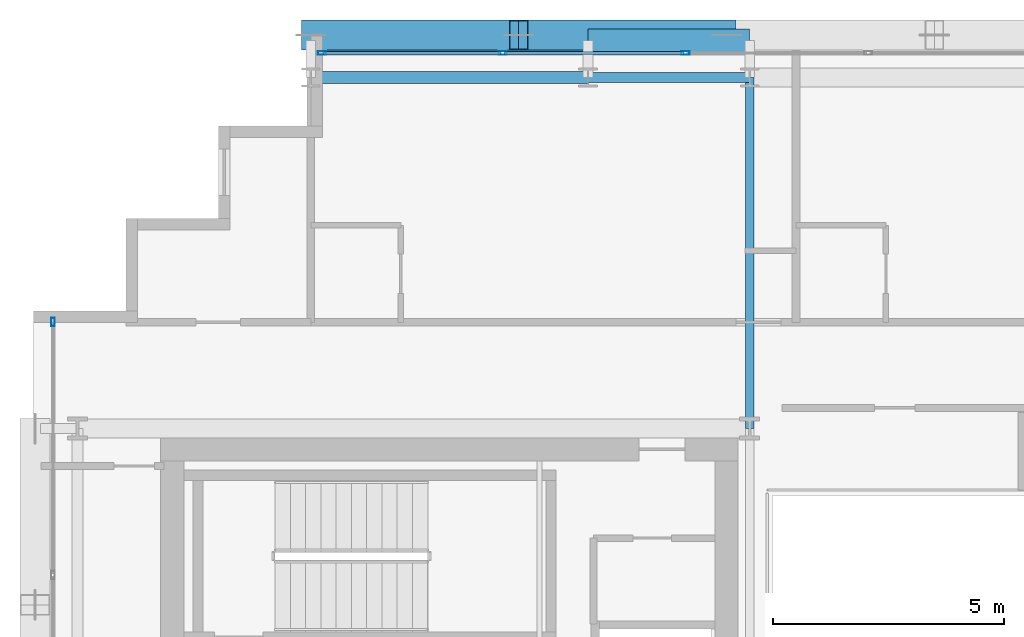
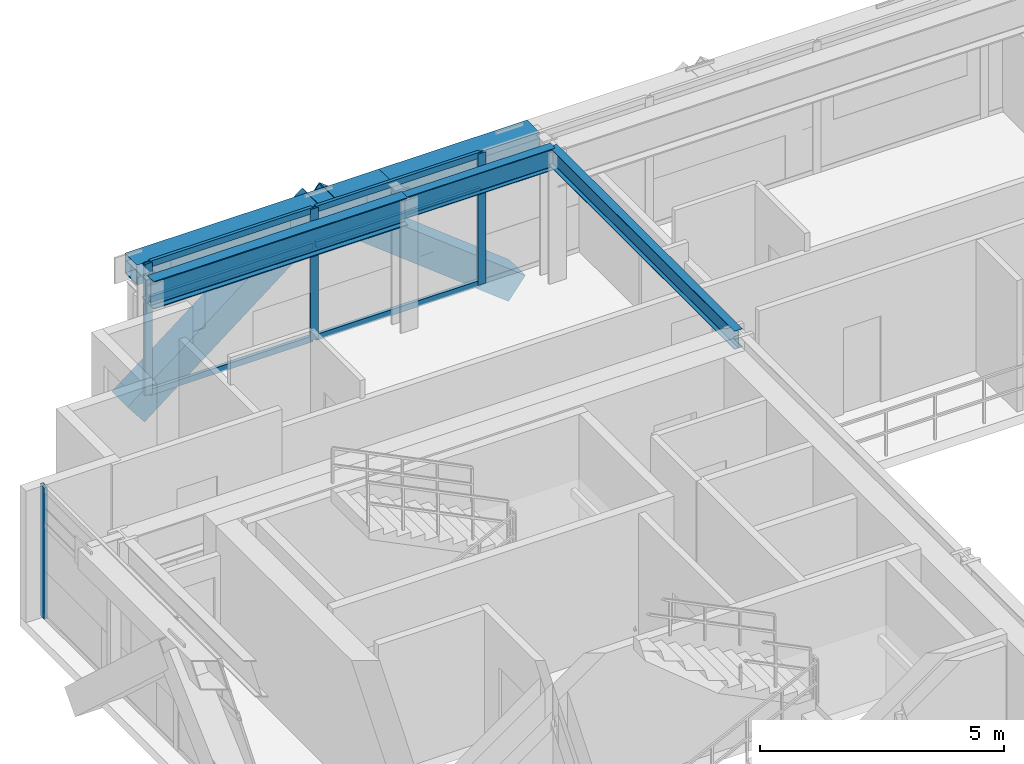
# One storey, part 16 of 32: 12 members, 5 beams, 2 elements without a shape of their own.
"""IFC4 building model written with IfcOpenShell, lengths in metres."""

from ifc_helpers import new_model, si_unit, direction, frame, origin, origin_2d, place, context, subcontext, project, spatial, hollow_rectangle, i_section, extrude, source, transform, mapped, material, layer, layer_set, material_profile, profile_set, type_object, element, aggregate, save


model = new_model("IFC4")

# Units and contexts
model_context = context("Model", 3, precision=1e-05, world=origin(), true_north=direction((0.0, 1.0)))
body_context = subcontext(model_context, "Body", "Model", "MODEL_VIEW")
ifc_project = project(units=[si_unit("LENGTHUNIT", "METRE"), si_unit("AREAUNIT", "SQUARE_METRE"), si_unit("VOLUMEUNIT", "CUBIC_METRE"), si_unit("PLANEANGLEUNIT", "RADIAN"), si_unit("MASSUNIT", "GRAM", prefix="KILO")], contexts=[model_context])

# Site, building, storey
site_placement = place(None, origin())
site = spatial("IfcSite", under=ifc_project, at=site_placement, CompositionType="ELEMENT")
building_placement = place(site_placement, origin())
building = spatial("IfcBuilding", under=site, at=building_placement, Name="Ocotamira Hotel", CompositionType="ELEMENT")
storey_placement = place(building_placement, frame((0.0, 0.0, 217.199951171875)))
storey = spatial("IfcBuildingStorey", under=building, at=storey_placement, Name="L55", CompositionType="ELEMENT", Elevation=217.199951171875)

# Beams
ifc_material_1 = material(Name="Steel ASTM A992 Grade 50", Category="steel")
ifc_material_profile_1 = material_profile(ifc_material_1, i_section(OverallWidth=0.256103515625, OverallDepth=0.693115234375, WebThickness=0.014404296875, FlangeThickness=0.023681640625, FilletRadius=0.01611328125, at=origin_2d()), Name="W27X114")
ifc_profile_set_1 = profile_set([ifc_material_profile_1], Name="Steel ASTM A992 Grade 50")
beam_type_1 = type_object("IfcBeamType", Name="BM-PRIM-W27X114", PredefinedType="BEAM", material=ifc_profile_set_1)
shared_shape_1 = source(origin(), body_context, "Body", "SweptSolid", [
    extrude(i_section(OverallWidth=0.256103515625, OverallDepth=0.693115234375, WebThickness=0.014404296875, FlangeThickness=0.023681640625, FilletRadius=0.01611328125, at=origin_2d()), origin(), (0.0, 0.0, 1.0), 6.0),
])
beam_1_placement = place(storey_placement, frame((14.0, 45.050048828125, 2.93359375), z_axis=(1.0, 0.0, 0.0), x_axis=(0.0, 1.0, 0.0)))
element("IfcBeam", 1, at=beam_1_placement, inside=storey, type_object=beam_type_1, Name="L55 Girder Y45.05 X14-20", PredefinedType="BEAM", context=body_context, shape_type="MappedRepresentation", body=[
    mapped(shared_shape_1, transform((0.0, 0.0, 0.0), scale=1.0)),
])
ifc_material_profile_2 = material_profile(ifc_material_1, i_section(OverallWidth=0.2099609375, OverallDepth=0.537109375, WebThickness=0.010986328125, FlangeThickness=0.017333984375, FilletRadius=0.012939453125, at=origin_2d()), Name="W21X68")
ifc_profile_set_2 = profile_set([ifc_material_profile_2], Name="Steel ASTM A992 Grade 50")
beam_type_2 = type_object("IfcBeamType", Name="BM-SEC-W21X68", PredefinedType="JOIST", material=ifc_profile_set_2)
shared_shape_2 = source(origin(), body_context, "Body", "SweptSolid", [
    extrude(i_section(OverallWidth=0.2099609375, OverallDepth=0.537109375, WebThickness=0.010986328125, FlangeThickness=0.017333984375, FilletRadius=0.012939453125, at=origin_2d()), origin(), (0.0, 0.0, 1.0), 3.5),
])
beam_2_placement = place(storey_placement, frame((20.0, 45.050048828125, 3.011474609375), z_axis=(1.0, 0.0, 0.0), x_axis=(0.0, 1.0, 0.0)))
element("IfcBeam", 2, at=beam_2_placement, inside=storey, type_object=beam_type_2, Name="L55 Girder Y45.05 X20-23.5", PredefinedType="JOIST", context=body_context, shape_type="MappedRepresentation", body=[
    mapped(shared_shape_2, transform((0.0, 0.0, 0.0), scale=1.0)),
])
ifc_material_2 = material(Name="Steel ASTM A500 Grade C", Category="steel")
ifc_material_profile_3 = material_profile(ifc_material_2, hollow_rectangle(XDim=0.5, YDim=0.5, WallThickness=0.02001953125, at=origin_2d()), Name="HSS500X500X20")
ifc_profile_set_3 = profile_set([ifc_material_profile_3], Name="Steel ASTM A500 Grade C")
beam_type_3 = type_object("IfcBeamType", Name="BM-SPAN-HSS500", PredefinedType="USERDEFINED", material=ifc_profile_set_3)
shared_shape_3 = source(origin(), body_context, "Body", "SweptSolid", [
    extrude(hollow_rectangle(XDim=0.5, YDim=0.5, WallThickness=0.02001953125, at=origin_2d()), origin(), (0.0, 0.0, 1.0), 6.0),
])
beam_3_placement = place(storey_placement, frame((14.0, 45.85009765625, 3.030029296875), z_axis=(1.0, 0.0, 0.0), x_axis=(0.0, 1.0, 0.0)))
element("IfcBeam", 3, at=beam_3_placement, inside=storey, type_object=beam_type_3, Name="L55 Edge Spandrel N X14-20", ObjectType="SPANDREL", PredefinedType="USERDEFINED", context=body_context, shape_type="MappedRepresentation", body=[
    mapped(shared_shape_3, transform((0.0, 0.0, 0.0), scale=1.0)),
])
shared_shape_4 = source(origin(), body_context, "Body", "SweptSolid", [
    extrude(hollow_rectangle(XDim=0.5, YDim=0.5, WallThickness=0.02001953125, at=origin_2d()), origin(), (0.0, 0.0, 1.0), 3.5),
])
beam_4_placement = place(storey_placement, frame((20.0, 45.85009765625, 3.030029296875), z_axis=(1.0, 0.0, 0.0), x_axis=(0.0, 1.0, 0.0)))
element("IfcBeam", 4, at=beam_4_placement, inside=storey, type_object=beam_type_3, Name="L55 Edge Spandrel N X20-23.5", ObjectType="SPANDREL", PredefinedType="USERDEFINED", context=body_context, shape_type="MappedRepresentation", body=[
    mapped(shared_shape_4, transform((0.0, 0.0, 0.0), scale=1.0)),
])
ifc_material_profile_4 = material_profile(ifc_material_1, i_section(OverallWidth=0.18994140625, OverallDepth=0.45703125, WebThickness=0.009033203125, FlangeThickness=0.014404296875, FilletRadius=0.010009765625, at=origin_2d()), Name="W18X50")
ifc_profile_set_4 = profile_set([ifc_material_profile_4], Name="Steel ASTM A992 Grade 50")
beam_type_4 = type_object("IfcBeamType", Name="BM-SEC-W18X50", PredefinedType="JOIST", material=ifc_profile_set_4)
shared_shape_5 = source(origin(), body_context, "Body", "SweptSolid", [
    extrude(i_section(OverallWidth=0.18994140625, OverallDepth=0.45703125, WebThickness=0.009033203125, FlangeThickness=0.014404296875, FilletRadius=0.010009765625, at=origin_2d()), origin(), (0.0, 0.0, 1.0), 7.60009765625),
])
beam_5_placement = place(storey_placement, frame((23.5, 37.449951171875, 3.051513671875), z_axis=(0.0, 1.0, 0.0), x_axis=(-1.0, 0.0, 0.0)))
element("IfcBeam", 5, at=beam_5_placement, inside=storey, type_object=beam_type_4, Name="L55 Beam X23.5 Y37.45-45.05", PredefinedType="JOIST", context=body_context, shape_type="MappedRepresentation", body=[
    mapped(shared_shape_5, transform((0.0, 0.0, 0.0), scale=1.0)),
])

# Members
ifc_material_3 = material(Name="Pale-metal coated steel ASTM A913 Grade 65", Category="steel")
ifc_material_profile_5 = material_profile(ifc_material_3, hollow_rectangle(XDim=0.64990234375, YDim=0.64990234375, WallThickness=0.02197265625, at=origin_2d()), Name="BOX650X650X22")
ifc_profile_set_5 = profile_set([ifc_material_profile_5], Name="Pale-metal coated steel ASTM A913 Grade 65")
member_type_1 = type_object("IfcMemberType", Name="MEM-EXO-BOX650", PredefinedType="BRACE", material=ifc_profile_set_5)
shared_shape_6 = source(origin(), body_context, "Body", "SweptSolid", [
    extrude(hollow_rectangle(XDim=0.64990234375, YDim=0.64990234375, WallThickness=0.02197265625, at=origin_2d()), origin(), (0.0, 0.0, 1.0), 5.70703125),
])
for number, where, z_axis, x_axis, name in (
    (6, (14.0, 45.969970703125, -0.47998046875), (0.788501476184, 0.0, 0.615032862581), (0.0, 1.0, 0.0), "L55 Exoskeleton Diagrid N0.1"),
    (7, (23.0, 45.969970703125, -0.47998046875), (-0.788501476184, 0.0, 0.615032862581), (0.0, -1.0, 0.0), "L55 Exoskeleton Diagrid N0.2"),
):
    element("IfcMember", number, at=place(storey_placement, frame(where, z_axis=z_axis, x_axis=x_axis)), inside=storey, type_object=member_type_1, Name=name, PredefinedType="BRACE", context=body_context, shape_type="MappedRepresentation", body=[
        mapped(shared_shape_6, transform((0.0, 0.0, 0.0), scale=1.0)),
    ])

# Curtain wall, members
ifc_material_4 = material(Name="Anodised pale-metal aluminium and solar glass", Category="aluminium")
ifc_layer = layer(ifc_material_4, 0.199951171875)
ifc_layer_set = layer_set([ifc_layer], Name="Anodised pale-metal aluminium and solar glass")
curtain_wall_type = type_object("IfcCurtainWallType", Name="CW-SYS4-Z3", PredefinedType="NOTDEFINED", material=ifc_layer_set)
curtain_wall_1_placement = place(storey_placement, origin())
curtain_wall_1 = element("IfcCurtainWall", 8, at=curtain_wall_1_placement, inside=storey, type_object=curtain_wall_type, Name="L55 Curtain Wall CW-4 CW-L55-N", PredefinedType="NOTDEFINED")
ifc_material_5 = material(Name="Anodised pale-metal aluminium 6063-T6", Category="aluminium")
ifc_material_profile_6 = material_profile(ifc_material_5, hollow_rectangle(XDim=0.074951171875, YDim=0.14990234375, WallThickness=0.006103515625, at=origin_2d()), Name="HSS150X75X6")
ifc_profile_set_6 = profile_set([ifc_material_profile_6], Name="Anodised pale-metal aluminium 6063-T6")
member_type_2 = type_object("IfcMemberType", Name="CWT-150X75", PredefinedType="USERDEFINED", material=ifc_profile_set_6)
shared_shape_7 = source(origin(), body_context, "Body", "SweptSolid", [
    extrude(hollow_rectangle(XDim=0.074951171875, YDim=0.14990234375, WallThickness=0.006103515625, at=origin_2d()), origin(), (0.0, 0.0, 1.0), 3.83544921875),
])
member_1_placement = place(storey_placement, frame((14.280029296875, 45.580078125, 0.03759765625), z_axis=(1.0, 0.0, 0.0), x_axis=(0.0, 1.0, 0.0)))
member_1 = element("IfcMember", 9, at=member_1_placement, type_object=member_type_2, Name="CW-4 transom 1.1", ObjectType="TRANSOM", PredefinedType="USERDEFINED", context=body_context, shape_type="MappedRepresentation", body=[
    mapped(shared_shape_7, transform((0.0, 0.0, 0.0), scale=1.0)),
])
member_2_placement = place(storey_placement, frame((14.280029296875, 45.580078125, 2.35009765625), z_axis=(1.0, 0.0, 0.0), x_axis=(0.0, 1.0, 0.0)))
member_2 = element("IfcMember", 10, at=member_2_placement, type_object=member_type_2, Name="CW-4 transom 1.2", ObjectType="TRANSOM", PredefinedType="USERDEFINED", context=body_context, shape_type="MappedRepresentation", body=[
    mapped(shared_shape_7, transform((0.0, 0.0, 0.0), scale=1.0)),
])
member_3_placement = place(storey_placement, frame((14.280029296875, 45.580078125, 3.242431640625), z_axis=(1.0, 0.0, 0.0), x_axis=(0.0, 1.0, 0.0)))
member_3 = element("IfcMember", 11, at=member_3_placement, type_object=member_type_2, Name="CW-4 transom 1.3", ObjectType="TRANSOM", PredefinedType="USERDEFINED", context=body_context, shape_type="MappedRepresentation", body=[
    mapped(shared_shape_7, transform((0.0, 0.0, 0.0), scale=1.0)),
])
shared_shape_8 = source(origin(), body_context, "Body", "SweptSolid", [
    extrude(hollow_rectangle(XDim=0.074951171875, YDim=0.14990234375, WallThickness=0.006103515625, at=origin_2d()), origin(), (0.0, 0.0, 1.0), 3.87548828125),
])
member_4_placement = place(storey_placement, frame((18.195556640625, 45.580078125, 0.03759765625), z_axis=(1.0, 0.0, 0.0), x_axis=(0.0, 1.0, 0.0)))
member_4 = element("IfcMember", 12, at=member_4_placement, type_object=member_type_2, Name="CW-4 transom 2.1", ObjectType="TRANSOM", PredefinedType="USERDEFINED", context=body_context, shape_type="MappedRepresentation", body=[
    mapped(shared_shape_8, transform((0.0, 0.0, 0.0), scale=1.0)),
])
member_5_placement = place(storey_placement, frame((18.195556640625, 45.580078125, 2.35009765625), z_axis=(1.0, 0.0, 0.0), x_axis=(0.0, 1.0, 0.0)))
member_5 = element("IfcMember", 13, at=member_5_placement, type_object=member_type_2, Name="CW-4 transom 2.2", ObjectType="TRANSOM", PredefinedType="USERDEFINED", context=body_context, shape_type="MappedRepresentation", body=[
    mapped(shared_shape_8, transform((0.0, 0.0, 0.0), scale=1.0)),
])
member_6_placement = place(storey_placement, frame((18.195556640625, 45.580078125, 3.242431640625), z_axis=(1.0, 0.0, 0.0), x_axis=(0.0, 1.0, 0.0)))
member_6 = element("IfcMember", 14, at=member_6_placement, type_object=member_type_2, Name="CW-4 transom 2.3", ObjectType="TRANSOM", PredefinedType="USERDEFINED", context=body_context, shape_type="MappedRepresentation", body=[
    mapped(shared_shape_8, transform((0.0, 0.0, 0.0), scale=1.0)),
])
ifc_material_profile_7 = material_profile(ifc_material_5, hollow_rectangle(XDim=0.080078125, YDim=0.179931640625, WallThickness=0.006103515625, at=origin_2d()), Name="HSS180X80X6")
ifc_profile_set_7 = profile_set([ifc_material_profile_7], Name="Anodised pale-metal aluminium 6063-T6")
member_type_3 = type_object("IfcMemberType", Name="CWM-180X75", PredefinedType="MULLION", material=ifc_profile_set_7)
shared_shape_9 = source(origin(), body_context, "Body", "SweptSolid", [
    extrude(hollow_rectangle(XDim=0.080078125, YDim=0.179931640625, WallThickness=0.006103515625, at=origin_2d()), origin(), (0.0, 0.0, 1.0), 3.280029296875),
])
member_7_placement = place(storey_placement, frame((14.239990234375, 45.580078125, 0.0), z_axis=(0.0, 0.0, 1.0), x_axis=(0.0, 1.0, 0.0)))
member_7 = element("IfcMember", 15, at=member_7_placement, type_object=member_type_3, Name="CW-4 mullion 1", PredefinedType="MULLION", context=body_context, shape_type="MappedRepresentation", body=[
    mapped(shared_shape_9, transform((0.0, 0.0, 0.0), scale=1.0)),
])
member_8_placement = place(storey_placement, frame((18.155517578125, 45.580078125, 0.0), z_axis=(0.0, 0.0, 1.0), x_axis=(0.0, 1.0, 0.0)))
member_8 = element("IfcMember", 16, at=member_8_placement, type_object=member_type_3, Name="CW-4 mullion 2", PredefinedType="MULLION", context=body_context, shape_type="MappedRepresentation", body=[
    mapped(shared_shape_9, transform((0.0, 0.0, 0.0), scale=1.0)),
])
member_9_placement = place(storey_placement, frame((22.111083984375, 45.580078125, 0.0), z_axis=(0.0, 0.0, 1.0), x_axis=(0.0, 1.0, 0.0)))
member_9 = element("IfcMember", 17, at=member_9_placement, type_object=member_type_3, Name="CW-4 mullion 3", PredefinedType="MULLION", context=body_context, shape_type="MappedRepresentation", body=[
    mapped(shared_shape_9, transform((0.0, 0.0, 0.0), scale=1.0)),
])
aggregate(curtain_wall_1, [member_7, member_8, member_9, member_1, member_2, member_3, member_4, member_5, member_6])

# Curtain wall, member
curtain_wall_2_placement = place(storey_placement, origin())
curtain_wall_2 = element("IfcCurtainWall", 18, at=curtain_wall_2_placement, inside=storey, type_object=curtain_wall_type, Name="L55 Curtain Wall CW-4 CW-L55-W", PredefinedType="NOTDEFINED")
member_10_placement = place(storey_placement, frame((8.419921875, 39.760009765625, 0.0), z_axis=(0.0, 0.0, 1.0), x_axis=(-1.0, 0.0, 0.0)))
member_10 = element("IfcMember", 19, at=member_10_placement, type_object=member_type_3, Name="CW-4 mullion 6", PredefinedType="MULLION", context=body_context, shape_type="MappedRepresentation", body=[
    mapped(shared_shape_9, transform((0.0, 0.0, 0.0), scale=1.0)),
])
aggregate(curtain_wall_2, [member_10])

save(model, "model.ifc")
